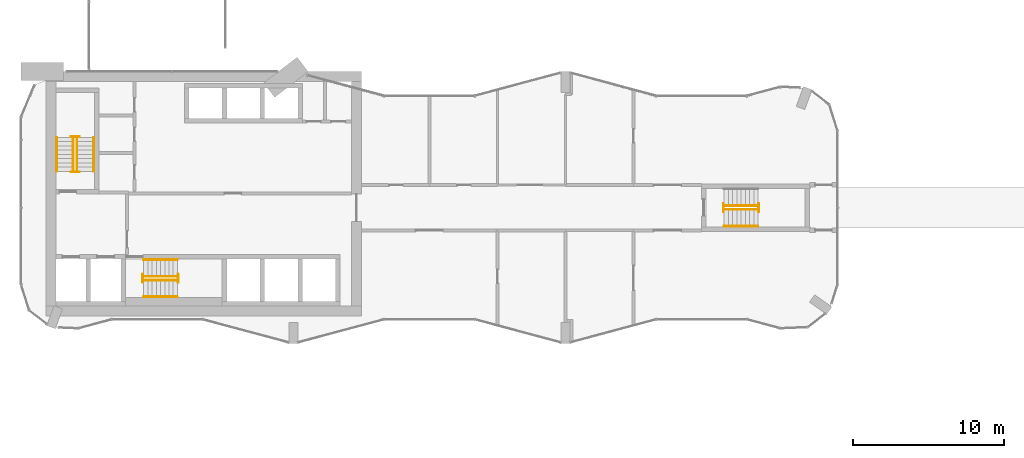
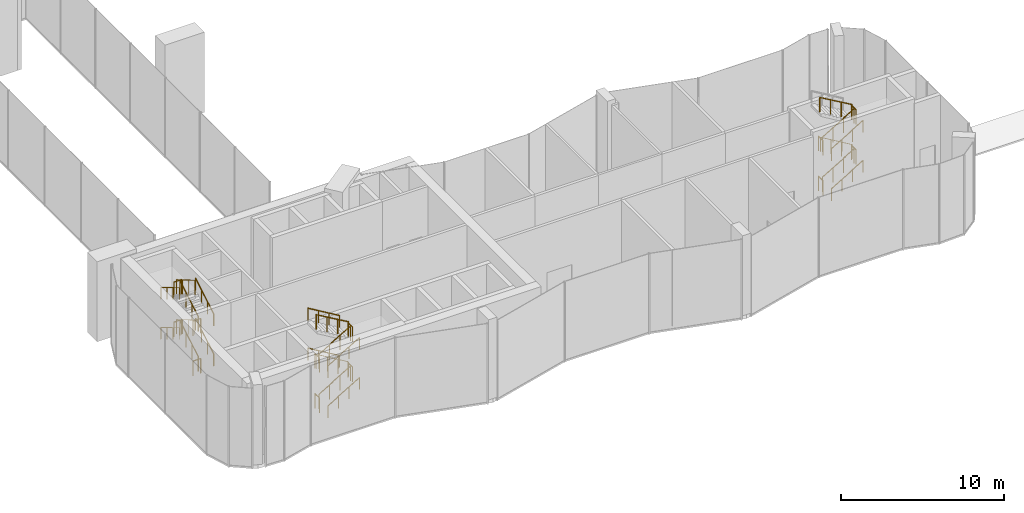
# One storey, part 15 of 19: 34 railings.
"""IFC4 building model written with IfcOpenShell, lengths in metres."""

from ifc_helpers import new_model, si_unit, direction, frame, origin, origin_2d, place, context, subcontext, project, spatial, circle, extrude, material, type_object, element, save


model = new_model("IFC4")

# Units and contexts
model_context = context("Model", 3, precision=1e-05, world=origin(), true_north=direction((0.0, 1.0)))
body_context = subcontext(model_context, "Body", "Model", "MODEL_VIEW")
ifc_project = project(units=[si_unit("LENGTHUNIT", "METRE"), si_unit("AREAUNIT", "SQUARE_METRE"), si_unit("VOLUMEUNIT", "CUBIC_METRE"), si_unit("PLANEANGLEUNIT", "RADIAN"), si_unit("MASSUNIT", "GRAM", prefix="KILO")], contexts=[model_context])

# Site, building, storey
site_placement = place(None, origin())
site = spatial("IfcSite", under=ifc_project, at=site_placement, CompositionType="ELEMENT")
building_placement = place(site_placement, origin())
building = spatial("IfcBuilding", under=site, at=building_placement, Name="Plateau Cross Towers", CompositionType="ELEMENT")
storey_placement = place(building_placement, frame((0.0, 0.0, 128.60009765625)))
storey = spatial("IfcBuildingStorey", under=building, at=storey_placement, Name="L33", CompositionType="ELEMENT", Elevation=128.60009765625)

# Railings
ifc_material_1 = material(Name="Stainless steel and toughened glass", Category="steel")
railing_type_1 = type_object("IfcRailingType", Name="RL-GUARD-1100", PredefinedType="GUARDRAIL", material=ifc_material_1)
railing_1_placement = place(storey_placement, frame((3.699951171875, 11.39990234375, 0.16650390625)))
element("IfcRailing", 1, at=railing_1_placement, inside=storey, type_object=railing_type_1, Name="L33 ST-1 stair guard 1", PredefinedType="GUARDRAIL", context=body_context, shape_type="SweptSolid", body=[
    extrude(circle(Radius=0.02392578125, at=origin_2d()), frame((0.0, 0.0, 1.076171875), z_axis=(0.0, 0.859264461869, 0.511531606619), x_axis=(-1.0, 0.0, 0.0)), (0.0, 0.0, 1.0), 2.60693359375),
    extrude(circle(Radius=0.02099609375, at=origin_2d()), origin(), (0.0, 0.0, 1.0), 1.052001953125),
    extrude(circle(Radius=0.02099609375, at=origin_2d()), frame((0.0, 0.74658203125, 0.444580078125)), (0.0, 0.0, 1.0), 1.052001953125),
    extrude(circle(Radius=0.02099609375, at=origin_2d()), frame((0.0, 1.493408203125, 0.888916015625)), (0.0, 0.0, 1.0), 1.052001953125),
    extrude(circle(Radius=0.02099609375, at=origin_2d()), frame((0.0, 2.239990234375, 1.33349609375)), (0.0, 0.0, 1.0), 1.052001953125),
])
railing_2_placement = place(storey_placement, frame((3.85009765625, 13.68994140625, 1.5)))
element("IfcRailing", 2, at=railing_2_placement, inside=storey, type_object=railing_type_1, Name="L33 ST-1 stair guard 2", PredefinedType="GUARDRAIL", context=body_context, shape_type="SweptSolid", body=[
    extrude(circle(Radius=0.02392578125, at=origin_2d()), frame((0.0, 0.0, 1.076171875), z_axis=(-1.0, 0.0, 0.0), x_axis=(0.0, -1.0, 0.0)), (0.0, 0.0, 1.0), 0.550048828125),
    extrude(circle(Radius=0.02099609375, at=origin_2d()), origin(), (0.0, 0.0, 1.0), 1.052001953125),
    extrude(circle(Radius=0.02099609375, at=origin_2d()), frame((-0.550048828125, 0.0, 0.0)), (0.0, 0.0, 1.0), 1.052001953125),
])
railing_3_placement = place(storey_placement, frame((3.449951171875, 13.639892578125, 1.66650390625)))
element("IfcRailing", 3, at=railing_3_placement, inside=storey, type_object=railing_type_1, Name="L33 ST-1 stair guard 3", PredefinedType="GUARDRAIL", context=body_context, shape_type="SweptSolid", body=[
    extrude(circle(Radius=0.02392578125, at=origin_2d()), frame((0.0, 0.0, 1.076171875), z_axis=(0.0, -0.859264461869, 0.511531606619), x_axis=(1.0, 0.0, 0.0)), (0.0, 0.0, 1.0), 2.60693359375),
    extrude(circle(Radius=0.02099609375, at=origin_2d()), origin(), (0.0, 0.0, 1.0), 1.052001953125),
    extrude(circle(Radius=0.02099609375, at=origin_2d()), frame((0.0, -0.74658203125, 0.444580078125)), (0.0, 0.0, 1.0), 1.052001953125),
    extrude(circle(Radius=0.02099609375, at=origin_2d()), frame((0.0, -1.493408203125, 0.888916015625)), (0.0, 0.0, 1.0), 1.052001953125),
    extrude(circle(Radius=0.02099609375, at=origin_2d()), frame((0.0, -2.239990234375, 1.33349609375)), (0.0, 0.0, 1.0), 1.052001953125),
])
railing_4_placement = place(storey_placement, frame((3.85009765625, 11.35009765625, 3.0)))
element("IfcRailing", 4, at=railing_4_placement, inside=storey, type_object=railing_type_1, Name="L33 ST-1 stair guard 4", PredefinedType="GUARDRAIL", context=body_context, shape_type="SweptSolid", body=[
    extrude(circle(Radius=0.02392578125, at=origin_2d()), frame((0.0, 0.0, 1.076171875), z_axis=(-1.0, 0.0, 0.0), x_axis=(0.0, -1.0, 0.0)), (0.0, 0.0, 1.0), 0.550048828125),
    extrude(circle(Radius=0.02099609375, at=origin_2d()), origin(), (0.0, 0.0, 1.0), 1.052001953125),
    extrude(circle(Radius=0.02099609375, at=origin_2d()), frame((-0.550048828125, 0.0, 0.0)), (0.0, 0.0, 1.0), 1.052001953125),
])
railing_5_placement = place(storey_placement, frame((3.699951171875, 11.39990234375, 3.16650390625)))
element("IfcRailing", 5, at=railing_5_placement, inside=storey, type_object=railing_type_1, Name="L33 ST-1 stair guard 5", PredefinedType="GUARDRAIL", context=body_context, shape_type="SweptSolid", body=[
    extrude(circle(Radius=0.02392578125, at=origin_2d()), frame((0.0, 0.0, 1.076171875), z_axis=(0.0, 0.859264461869, 0.511531606619), x_axis=(-1.0, 0.0, 0.0)), (0.0, 0.0, 1.0), 2.60693359375),
    extrude(circle(Radius=0.02099609375, at=origin_2d()), origin(), (0.0, 0.0, 1.0), 1.052001953125),
    extrude(circle(Radius=0.02099609375, at=origin_2d()), frame((0.0, 0.74658203125, 0.444580078125)), (0.0, 0.0, 1.0), 1.052001953125),
    extrude(circle(Radius=0.02099609375, at=origin_2d()), frame((0.0, 1.493408203125, 0.888916015625)), (0.0, 0.0, 1.0), 1.052001953125),
    extrude(circle(Radius=0.02099609375, at=origin_2d()), frame((0.0, 2.239990234375, 1.33349609375)), (0.0, 0.0, 1.0), 1.052001953125),
])
railing_6_placement = place(storey_placement, frame((3.85009765625, 13.68994140625, 4.5)))
element("IfcRailing", 6, at=railing_6_placement, inside=storey, type_object=railing_type_1, Name="L33 ST-1 stair guard 6", PredefinedType="GUARDRAIL", context=body_context, shape_type="SweptSolid", body=[
    extrude(circle(Radius=0.02392578125, at=origin_2d()), frame((0.0, 0.0, 1.076171875), z_axis=(-1.0, 0.0, 0.0), x_axis=(0.0, -1.0, 0.0)), (0.0, 0.0, 1.0), 0.550048828125),
    extrude(circle(Radius=0.02099609375, at=origin_2d()), origin(), (0.0, 0.0, 1.0), 1.052001953125),
    extrude(circle(Radius=0.02099609375, at=origin_2d()), frame((-0.550048828125, 0.0, 0.0)), (0.0, 0.0, 1.0), 1.052001953125),
])
railing_7_placement = place(storey_placement, frame((3.449951171875, 13.639892578125, 4.66650390625)))
element("IfcRailing", 7, at=railing_7_placement, inside=storey, type_object=railing_type_1, Name="L33 ST-1 stair guard 7", PredefinedType="GUARDRAIL", context=body_context, shape_type="SweptSolid", body=[
    extrude(circle(Radius=0.02392578125, at=origin_2d()), frame((0.0, 0.0, 1.076171875), z_axis=(0.0, -0.864142922442, 0.503246470026), x_axis=(1.0, 0.0, 0.0)), (0.0, 0.0, 1.0), 2.64990234375),
    extrude(circle(Radius=0.02099609375, at=origin_2d()), origin(), (0.0, 0.0, 1.0), 1.052001953125),
    extrude(circle(Radius=0.02099609375, at=origin_2d()), frame((0.0, -0.76318359375, 0.444580078125)), (0.0, 0.0, 1.0), 1.052001953125),
    extrude(circle(Radius=0.02099609375, at=origin_2d()), frame((0.0, -1.526611328125, 0.888916015625)), (0.0, 0.0, 1.0), 1.052001953125),
    extrude(circle(Radius=0.02099609375, at=origin_2d()), frame((0.0, -2.289794921875, 1.33349609375)), (0.0, 0.0, 1.0), 1.052001953125),
])
railing_8_placement = place(storey_placement, frame((3.85009765625, 11.35009765625, 0.0)))
element("IfcRailing", 8, at=railing_8_placement, inside=storey, type_object=railing_type_1, Name="L33 ST-1 stair guard 8", PredefinedType="GUARDRAIL", context=body_context, shape_type="SweptSolid", body=[
    extrude(circle(Radius=0.02392578125, at=origin_2d()), frame((0.0, 0.0, 1.076171875), z_axis=(-1.0, 0.0, 0.0), x_axis=(0.0, -1.0, 0.0)), (0.0, 0.0, 1.0), 0.550048828125),
    extrude(circle(Radius=0.02099609375, at=origin_2d()), origin(), (0.0, 0.0, 1.0), 1.052001953125),
    extrude(circle(Radius=0.02099609375, at=origin_2d()), frame((-0.550048828125, 0.0, 0.0)), (0.0, 0.0, 1.0), 1.052001953125),
])
railing_9_placement = place(storey_placement, frame((8.10009765625, 4.199951171875, 0.16650390625)))
element("IfcRailing", 9, at=railing_9_placement, inside=storey, type_object=railing_type_1, Name="L33 ST-2 stair guard 1", PredefinedType="GUARDRAIL", context=body_context, shape_type="SweptSolid", body=[
    extrude(circle(Radius=0.02392578125, at=origin_2d()), frame((0.0, 0.0, 1.076171875), z_axis=(0.859264461869, 0.0, 0.511531606619), x_axis=(0.0, 1.0, 0.0)), (0.0, 0.0, 1.0), 2.60693359375),
    extrude(circle(Radius=0.02099609375, at=origin_2d()), origin(), (0.0, 0.0, 1.0), 1.052001953125),
    extrude(circle(Radius=0.02099609375, at=origin_2d()), frame((0.74658203125, 0.0, 0.444580078125)), (0.0, 0.0, 1.0), 1.052001953125),
    extrude(circle(Radius=0.02099609375, at=origin_2d()), frame((1.493408203125, 0.0, 0.888916015625)), (0.0, 0.0, 1.0), 1.052001953125),
    extrude(circle(Radius=0.02099609375, at=origin_2d()), frame((2.239990234375, 0.0, 1.33349609375)), (0.0, 0.0, 1.0), 1.052001953125),
])
railing_10_placement = place(storey_placement, frame((10.389892578125, 4.050048828125, 1.5)))
element("IfcRailing", 10, at=railing_10_placement, inside=storey, type_object=railing_type_1, Name="L33 ST-2 stair guard 2", PredefinedType="GUARDRAIL", context=body_context, shape_type="SweptSolid", body=[
    extrude(circle(Radius=0.02392578125, at=origin_2d()), frame((0.0, 0.0, 1.076171875), z_axis=(0.0, 1.0, 0.0), x_axis=(-1.0, 0.0, 0.0)), (0.0, 0.0, 1.0), 0.550048828125),
    extrude(circle(Radius=0.02099609375, at=origin_2d()), origin(), (0.0, 0.0, 1.0), 1.052001953125),
    extrude(circle(Radius=0.02099609375, at=origin_2d()), frame((0.0, 0.550048828125, 0.0)), (0.0, 0.0, 1.0), 1.052001953125),
])
railing_11_placement = place(storey_placement, frame((10.340087890625, 4.449951171875, 1.66650390625)))
element("IfcRailing", 11, at=railing_11_placement, inside=storey, type_object=railing_type_1, Name="L33 ST-2 stair guard 3", PredefinedType="GUARDRAIL", context=body_context, shape_type="SweptSolid", body=[
    extrude(circle(Radius=0.02392578125, at=origin_2d()), frame((0.0, 0.0, 1.076171875), z_axis=(-0.859264461869, 0.0, 0.511531606619), x_axis=(0.0, -1.0, 0.0)), (0.0, 0.0, 1.0), 2.60693359375),
    extrude(circle(Radius=0.02099609375, at=origin_2d()), origin(), (0.0, 0.0, 1.0), 1.052001953125),
    extrude(circle(Radius=0.02099609375, at=origin_2d()), frame((-0.74658203125, 0.0, 0.444580078125)), (0.0, 0.0, 1.0), 1.052001953125),
    extrude(circle(Radius=0.02099609375, at=origin_2d()), frame((-1.493408203125, 0.0, 0.888916015625)), (0.0, 0.0, 1.0), 1.052001953125),
    extrude(circle(Radius=0.02099609375, at=origin_2d()), frame((-2.239990234375, 0.0, 1.33349609375)), (0.0, 0.0, 1.0), 1.052001953125),
])
railing_12_placement = place(storey_placement, frame((8.050048828125, 4.050048828125, 3.0)))
element("IfcRailing", 12, at=railing_12_placement, inside=storey, type_object=railing_type_1, Name="L33 ST-2 stair guard 4", PredefinedType="GUARDRAIL", context=body_context, shape_type="SweptSolid", body=[
    extrude(circle(Radius=0.02392578125, at=origin_2d()), frame((0.0, 0.0, 1.076171875), z_axis=(0.0, 1.0, 0.0), x_axis=(-1.0, 0.0, 0.0)), (0.0, 0.0, 1.0), 0.550048828125),
    extrude(circle(Radius=0.02099609375, at=origin_2d()), origin(), (0.0, 0.0, 1.0), 1.052001953125),
    extrude(circle(Radius=0.02099609375, at=origin_2d()), frame((0.0, 0.550048828125, 0.0)), (0.0, 0.0, 1.0), 1.052001953125),
])
railing_13_placement = place(storey_placement, frame((8.10009765625, 4.199951171875, 3.16650390625)))
element("IfcRailing", 13, at=railing_13_placement, inside=storey, type_object=railing_type_1, Name="L33 ST-2 stair guard 5", PredefinedType="GUARDRAIL", context=body_context, shape_type="SweptSolid", body=[
    extrude(circle(Radius=0.02392578125, at=origin_2d()), frame((0.0, 0.0, 1.076171875), z_axis=(0.859264461869, 0.0, 0.511531606619), x_axis=(0.0, 1.0, 0.0)), (0.0, 0.0, 1.0), 2.60693359375),
    extrude(circle(Radius=0.02099609375, at=origin_2d()), origin(), (0.0, 0.0, 1.0), 1.052001953125),
    extrude(circle(Radius=0.02099609375, at=origin_2d()), frame((0.74658203125, 0.0, 0.444580078125)), (0.0, 0.0, 1.0), 1.052001953125),
    extrude(circle(Radius=0.02099609375, at=origin_2d()), frame((1.493408203125, 0.0, 0.888916015625)), (0.0, 0.0, 1.0), 1.052001953125),
    extrude(circle(Radius=0.02099609375, at=origin_2d()), frame((2.239990234375, 0.0, 1.33349609375)), (0.0, 0.0, 1.0), 1.052001953125),
])
railing_14_placement = place(storey_placement, frame((10.389892578125, 4.050048828125, 4.5)))
element("IfcRailing", 14, at=railing_14_placement, inside=storey, type_object=railing_type_1, Name="L33 ST-2 stair guard 6", PredefinedType="GUARDRAIL", context=body_context, shape_type="SweptSolid", body=[
    extrude(circle(Radius=0.02392578125, at=origin_2d()), frame((0.0, 0.0, 1.076171875), z_axis=(0.0, 1.0, 0.0), x_axis=(-1.0, 0.0, 0.0)), (0.0, 0.0, 1.0), 0.550048828125),
    extrude(circle(Radius=0.02099609375, at=origin_2d()), origin(), (0.0, 0.0, 1.0), 1.052001953125),
    extrude(circle(Radius=0.02099609375, at=origin_2d()), frame((0.0, 0.550048828125, 0.0)), (0.0, 0.0, 1.0), 1.052001953125),
])
railing_15_placement = place(storey_placement, frame((10.340087890625, 4.449951171875, 4.66650390625)))
element("IfcRailing", 15, at=railing_15_placement, inside=storey, type_object=railing_type_1, Name="L33 ST-2 stair guard 7", PredefinedType="GUARDRAIL", context=body_context, shape_type="SweptSolid", body=[
    extrude(circle(Radius=0.02392578125, at=origin_2d()), frame((0.0, 0.0, 1.076171875), z_axis=(-0.864166253726, 0.0, 0.503206404888), x_axis=(0.0, -1.0, 0.0)), (0.0, 0.0, 1.0), 2.64990234375),
    extrude(circle(Radius=0.02099609375, at=origin_2d()), origin(), (0.0, 0.0, 1.0), 1.052001953125),
    extrude(circle(Radius=0.02099609375, at=origin_2d()), frame((-0.763427734375, 0.0, 0.444580078125)), (0.0, 0.0, 1.0), 1.052001953125),
    extrude(circle(Radius=0.02099609375, at=origin_2d()), frame((-1.526611328125, 0.0, 0.888916015625)), (0.0, 0.0, 1.0), 1.052001953125),
    extrude(circle(Radius=0.02099609375, at=origin_2d()), frame((-2.2900390625, 0.0, 1.33349609375)), (0.0, 0.0, 1.0), 1.052001953125),
])
railing_16_placement = place(storey_placement, frame((8.050048828125, 4.050048828125, 0.0)))
element("IfcRailing", 16, at=railing_16_placement, inside=storey, type_object=railing_type_1, Name="L33 ST-2 stair guard 8", PredefinedType="GUARDRAIL", context=body_context, shape_type="SweptSolid", body=[
    extrude(circle(Radius=0.02392578125, at=origin_2d()), frame((0.0, 0.0, 1.076171875), z_axis=(0.0, 1.0, 0.0), x_axis=(-1.0, 0.0, 0.0)), (0.0, 0.0, 1.0), 0.550048828125),
    extrude(circle(Radius=0.02099609375, at=origin_2d()), origin(), (0.0, 0.0, 1.0), 1.052001953125),
    extrude(circle(Radius=0.02099609375, at=origin_2d()), frame((0.0, 0.550048828125, 0.0)), (0.0, 0.0, 1.0), 1.052001953125),
])
railing_17_placement = place(storey_placement, frame((46.5, 8.875, 0.16650390625)))
element("IfcRailing", 17, at=railing_17_placement, inside=storey, type_object=railing_type_1, Name="L33 ES-E stair guard 1", PredefinedType="GUARDRAIL", context=body_context, shape_type="SweptSolid", body=[
    extrude(circle(Radius=0.02392578125, at=origin_2d()), frame((0.0, 0.0, 1.076171875), z_axis=(0.859264461869, 0.0, 0.511531606619), x_axis=(0.0, 1.0, 0.0)), (0.0, 0.0, 1.0), 2.60693359375),
    extrude(circle(Radius=0.02099609375, at=origin_2d()), origin(), (0.0, 0.0, 1.0), 1.052001953125),
    extrude(circle(Radius=0.02099609375, at=origin_2d()), frame((0.74658203125, 0.0, 0.444580078125)), (0.0, 0.0, 1.0), 1.052001953125),
    extrude(circle(Radius=0.02099609375, at=origin_2d()), frame((1.493408203125, 0.0, 0.888916015625)), (0.0, 0.0, 1.0), 1.052001953125),
    extrude(circle(Radius=0.02099609375, at=origin_2d()), frame((2.239990234375, 0.0, 1.33349609375)), (0.0, 0.0, 1.0), 1.052001953125),
])
railing_18_placement = place(storey_placement, frame((48.7900390625, 8.72509765625, 1.5)))
element("IfcRailing", 18, at=railing_18_placement, inside=storey, type_object=railing_type_1, Name="L33 ES-E stair guard 2", PredefinedType="GUARDRAIL", context=body_context, shape_type="SweptSolid", body=[
    extrude(circle(Radius=0.02392578125, at=origin_2d()), frame((0.0, 0.0, 1.076171875), z_axis=(0.0, 1.0, 0.0), x_axis=(-1.0, 0.0, 0.0)), (0.0, 0.0, 1.0), 0.5498046875),
    extrude(circle(Radius=0.02099609375, at=origin_2d()), origin(), (0.0, 0.0, 1.0), 1.052001953125),
    extrude(circle(Radius=0.02099609375, at=origin_2d()), frame((0.0, 0.5498046875, 0.0)), (0.0, 0.0, 1.0), 1.052001953125),
])
railing_19_placement = place(storey_placement, frame((48.739990234375, 9.125, 1.66650390625)))
element("IfcRailing", 19, at=railing_19_placement, inside=storey, type_object=railing_type_1, Name="L33 ES-E stair guard 3", PredefinedType="GUARDRAIL", context=body_context, shape_type="SweptSolid", body=[
    extrude(circle(Radius=0.02392578125, at=origin_2d()), frame((0.0, 0.0, 1.076171875), z_axis=(-0.859264461869, 0.0, 0.511531606619), x_axis=(0.0, -1.0, 0.0)), (0.0, 0.0, 1.0), 2.60693359375),
    extrude(circle(Radius=0.02099609375, at=origin_2d()), origin(), (0.0, 0.0, 1.0), 1.052001953125),
    extrude(circle(Radius=0.02099609375, at=origin_2d()), frame((-0.74658203125, 0.0, 0.444580078125)), (0.0, 0.0, 1.0), 1.052001953125),
    extrude(circle(Radius=0.02099609375, at=origin_2d()), frame((-1.493408203125, 0.0, 0.888916015625)), (0.0, 0.0, 1.0), 1.052001953125),
    extrude(circle(Radius=0.02099609375, at=origin_2d()), frame((-2.239990234375, 0.0, 1.33349609375)), (0.0, 0.0, 1.0), 1.052001953125),
])
railing_20_placement = place(storey_placement, frame((46.449951171875, 8.72509765625, 3.0)))
element("IfcRailing", 20, at=railing_20_placement, inside=storey, type_object=railing_type_1, Name="L33 ES-E stair guard 4", PredefinedType="GUARDRAIL", context=body_context, shape_type="SweptSolid", body=[
    extrude(circle(Radius=0.02392578125, at=origin_2d()), frame((0.0, 0.0, 1.076171875), z_axis=(0.0, 1.0, 0.0), x_axis=(-1.0, 0.0, 0.0)), (0.0, 0.0, 1.0), 0.5498046875),
    extrude(circle(Radius=0.02099609375, at=origin_2d()), origin(), (0.0, 0.0, 1.0), 1.052001953125),
    extrude(circle(Radius=0.02099609375, at=origin_2d()), frame((0.0, 0.5498046875, 0.0)), (0.0, 0.0, 1.0), 1.052001953125),
])
railing_21_placement = place(storey_placement, frame((46.5, 8.875, 3.16650390625)))
element("IfcRailing", 21, at=railing_21_placement, inside=storey, type_object=railing_type_1, Name="L33 ES-E stair guard 5", PredefinedType="GUARDRAIL", context=body_context, shape_type="SweptSolid", body=[
    extrude(circle(Radius=0.02392578125, at=origin_2d()), frame((0.0, 0.0, 1.076171875), z_axis=(0.859264461869, 0.0, 0.511531606619), x_axis=(0.0, 1.0, 0.0)), (0.0, 0.0, 1.0), 2.60693359375),
    extrude(circle(Radius=0.02099609375, at=origin_2d()), origin(), (0.0, 0.0, 1.0), 1.052001953125),
    extrude(circle(Radius=0.02099609375, at=origin_2d()), frame((0.74658203125, 0.0, 0.444580078125)), (0.0, 0.0, 1.0), 1.052001953125),
    extrude(circle(Radius=0.02099609375, at=origin_2d()), frame((1.493408203125, 0.0, 0.888916015625)), (0.0, 0.0, 1.0), 1.052001953125),
    extrude(circle(Radius=0.02099609375, at=origin_2d()), frame((2.239990234375, 0.0, 1.33349609375)), (0.0, 0.0, 1.0), 1.052001953125),
])
railing_22_placement = place(storey_placement, frame((48.7900390625, 8.72509765625, 4.5)))
element("IfcRailing", 22, at=railing_22_placement, inside=storey, type_object=railing_type_1, Name="L33 ES-E stair guard 6", PredefinedType="GUARDRAIL", context=body_context, shape_type="SweptSolid", body=[
    extrude(circle(Radius=0.02392578125, at=origin_2d()), frame((0.0, 0.0, 1.076171875), z_axis=(0.0, 1.0, 0.0), x_axis=(-1.0, 0.0, 0.0)), (0.0, 0.0, 1.0), 0.5498046875),
    extrude(circle(Radius=0.02099609375, at=origin_2d()), origin(), (0.0, 0.0, 1.0), 1.052001953125),
    extrude(circle(Radius=0.02099609375, at=origin_2d()), frame((0.0, 0.5498046875, 0.0)), (0.0, 0.0, 1.0), 1.052001953125),
])
railing_23_placement = place(storey_placement, frame((48.739990234375, 9.125, 4.66650390625)))
element("IfcRailing", 23, at=railing_23_placement, inside=storey, type_object=railing_type_1, Name="L33 ES-E stair guard 7", PredefinedType="GUARDRAIL", context=body_context, shape_type="SweptSolid", body=[
    extrude(circle(Radius=0.02392578125, at=origin_2d()), frame((0.0, 0.0, 1.076171875), z_axis=(-0.864166253726, 0.0, 0.503206404888), x_axis=(0.0, -1.0, 0.0)), (0.0, 0.0, 1.0), 2.64990234375),
    extrude(circle(Radius=0.02099609375, at=origin_2d()), origin(), (0.0, 0.0, 1.0), 1.052001953125),
    extrude(circle(Radius=0.02099609375, at=origin_2d()), frame((-0.763427734375, 0.0, 0.444580078125)), (0.0, 0.0, 1.0), 1.052001953125),
    extrude(circle(Radius=0.02099609375, at=origin_2d()), frame((-1.526611328125, 0.0, 0.888916015625)), (0.0, 0.0, 1.0), 1.052001953125),
    extrude(circle(Radius=0.02099609375, at=origin_2d()), frame((-2.2900390625, 0.0, 1.33349609375)), (0.0, 0.0, 1.0), 1.052001953125),
])
railing_24_placement = place(storey_placement, frame((46.449951171875, 8.72509765625, 0.0)))
element("IfcRailing", 24, at=railing_24_placement, inside=storey, type_object=railing_type_1, Name="L33 ES-E stair guard 8", PredefinedType="GUARDRAIL", context=body_context, shape_type="SweptSolid", body=[
    extrude(circle(Radius=0.02392578125, at=origin_2d()), frame((0.0, 0.0, 1.076171875), z_axis=(0.0, 1.0, 0.0), x_axis=(-1.0, 0.0, 0.0)), (0.0, 0.0, 1.0), 0.5498046875),
    extrude(circle(Radius=0.02099609375, at=origin_2d()), origin(), (0.0, 0.0, 1.0), 1.052001953125),
    extrude(circle(Radius=0.02099609375, at=origin_2d()), frame((0.0, 0.5498046875, 0.0)), (0.0, 0.0, 1.0), 1.052001953125),
])
ifc_material_2 = material(Name="Black anodised aluminium", Category="aluminium")
railing_type_2 = type_object("IfcRailingType", Name="RL-HANDRAIL-900", PredefinedType="HANDRAIL", material=ifc_material_2)
railing_25_placement = place(storey_placement, frame((4.800048828125, 11.39990234375, 0.16650390625)))
element("IfcRailing", 25, at=railing_25_placement, inside=storey, type_object=railing_type_2, Name="L33 ST-1 stair handrail 1", PredefinedType="HANDRAIL", context=body_context, shape_type="SweptSolid", body=[
    extrude(circle(Radius=0.02392578125, at=origin_2d()), frame((0.0, 0.0, 0.8759765625), z_axis=(0.0, 0.859264461869, 0.511531606619), x_axis=(-1.0, 0.0, 0.0)), (0.0, 0.0, 1.0), 2.60693359375),
    extrude(circle(Radius=0.02099609375, at=origin_2d()), origin(), (0.0, 0.0, 1.0), 0.851806640625),
    extrude(circle(Radius=0.02099609375, at=origin_2d()), frame((0.0, 0.74658203125, 0.444580078125)), (0.0, 0.0, 1.0), 0.851806640625),
    extrude(circle(Radius=0.02099609375, at=origin_2d()), frame((0.0, 1.493408203125, 0.888916015625)), (0.0, 0.0, 1.0), 0.851806640625),
    extrude(circle(Radius=0.02099609375, at=origin_2d()), frame((0.0, 2.239990234375, 1.33349609375)), (0.0, 0.0, 1.0), 0.851806640625),
])
railing_26_placement = place(storey_placement, frame((2.35009765625, 13.639892578125, 1.66650390625)))
element("IfcRailing", 26, at=railing_26_placement, inside=storey, type_object=railing_type_2, Name="L33 ST-1 stair handrail 2", PredefinedType="HANDRAIL", context=body_context, shape_type="SweptSolid", body=[
    extrude(circle(Radius=0.02392578125, at=origin_2d()), frame((0.0, 0.0, 0.8759765625), z_axis=(0.0, -0.859264461869, 0.511531606619), x_axis=(1.0, 0.0, 0.0)), (0.0, 0.0, 1.0), 2.60693359375),
    extrude(circle(Radius=0.02099609375, at=origin_2d()), origin(), (0.0, 0.0, 1.0), 0.851806640625),
    extrude(circle(Radius=0.02099609375, at=origin_2d()), frame((0.0, -0.74658203125, 0.444580078125)), (0.0, 0.0, 1.0), 0.851806640625),
    extrude(circle(Radius=0.02099609375, at=origin_2d()), frame((0.0, -1.493408203125, 0.888916015625)), (0.0, 0.0, 1.0), 0.851806640625),
    extrude(circle(Radius=0.02099609375, at=origin_2d()), frame((0.0, -2.239990234375, 1.33349609375)), (0.0, 0.0, 1.0), 0.851806640625),
])
railing_27_placement = place(storey_placement, frame((4.800048828125, 11.39990234375, 3.16650390625)))
element("IfcRailing", 27, at=railing_27_placement, inside=storey, type_object=railing_type_2, Name="L33 ST-1 stair handrail 3", PredefinedType="HANDRAIL", context=body_context, shape_type="SweptSolid", body=[
    extrude(circle(Radius=0.02392578125, at=origin_2d()), frame((0.0, 0.0, 0.8759765625), z_axis=(0.0, 0.859264461869, 0.511531606619), x_axis=(-1.0, 0.0, 0.0)), (0.0, 0.0, 1.0), 2.60693359375),
    extrude(circle(Radius=0.02099609375, at=origin_2d()), origin(), (0.0, 0.0, 1.0), 0.851806640625),
    extrude(circle(Radius=0.02099609375, at=origin_2d()), frame((0.0, 0.74658203125, 0.444580078125)), (0.0, 0.0, 1.0), 0.851806640625),
    extrude(circle(Radius=0.02099609375, at=origin_2d()), frame((0.0, 1.493408203125, 0.888916015625)), (0.0, 0.0, 1.0), 0.851806640625),
    extrude(circle(Radius=0.02099609375, at=origin_2d()), frame((0.0, 2.239990234375, 1.33349609375)), (0.0, 0.0, 1.0), 0.851806640625),
])
railing_28_placement = place(storey_placement, frame((2.35009765625, 13.639892578125, 4.66650390625)))
element("IfcRailing", 28, at=railing_28_placement, inside=storey, type_object=railing_type_2, Name="L33 ST-1 stair handrail 4", PredefinedType="HANDRAIL", context=body_context, shape_type="SweptSolid", body=[
    extrude(circle(Radius=0.02392578125, at=origin_2d()), frame((0.0, 0.0, 0.8759765625), z_axis=(0.0, -0.859264461869, 0.511531606619), x_axis=(1.0, 0.0, 0.0)), (0.0, 0.0, 1.0), 2.60693359375),
    extrude(circle(Radius=0.02099609375, at=origin_2d()), origin(), (0.0, 0.0, 1.0), 0.851806640625),
    extrude(circle(Radius=0.02099609375, at=origin_2d()), frame((0.0, -0.74658203125, 0.444580078125)), (0.0, 0.0, 1.0), 0.851806640625),
    extrude(circle(Radius=0.02099609375, at=origin_2d()), frame((0.0, -1.493408203125, 0.888916015625)), (0.0, 0.0, 1.0), 0.851806640625),
    extrude(circle(Radius=0.02099609375, at=origin_2d()), frame((0.0, -2.239990234375, 1.33349609375)), (0.0, 0.0, 1.0), 0.851806640625),
])
railing_29_placement = place(storey_placement, frame((8.10009765625, 3.10009765625, 0.16650390625)))
element("IfcRailing", 29, at=railing_29_placement, inside=storey, type_object=railing_type_2, Name="L33 ST-2 stair handrail 1", PredefinedType="HANDRAIL", context=body_context, shape_type="SweptSolid", body=[
    extrude(circle(Radius=0.02392578125, at=origin_2d()), frame((0.0, 0.0, 0.8759765625), z_axis=(0.859264461869, 0.0, 0.511531606619), x_axis=(0.0, 1.0, 0.0)), (0.0, 0.0, 1.0), 2.60693359375),
    extrude(circle(Radius=0.02099609375, at=origin_2d()), origin(), (0.0, 0.0, 1.0), 0.851806640625),
    extrude(circle(Radius=0.02099609375, at=origin_2d()), frame((0.74658203125, 0.0, 0.444580078125)), (0.0, 0.0, 1.0), 0.851806640625),
    extrude(circle(Radius=0.02099609375, at=origin_2d()), frame((1.493408203125, 0.0, 0.888916015625)), (0.0, 0.0, 1.0), 0.851806640625),
    extrude(circle(Radius=0.02099609375, at=origin_2d()), frame((2.239990234375, 0.0, 1.33349609375)), (0.0, 0.0, 1.0), 0.851806640625),
])
railing_30_placement = place(storey_placement, frame((10.340087890625, 5.550048828125, 1.66650390625)))
element("IfcRailing", 30, at=railing_30_placement, inside=storey, type_object=railing_type_2, Name="L33 ST-2 stair handrail 2", PredefinedType="HANDRAIL", context=body_context, shape_type="SweptSolid", body=[
    extrude(circle(Radius=0.02392578125, at=origin_2d()), frame((0.0, 0.0, 0.8759765625), z_axis=(-0.859264461869, 0.0, 0.511531606619), x_axis=(0.0, -1.0, 0.0)), (0.0, 0.0, 1.0), 2.60693359375),
    extrude(circle(Radius=0.02099609375, at=origin_2d()), origin(), (0.0, 0.0, 1.0), 0.851806640625),
    extrude(circle(Radius=0.02099609375, at=origin_2d()), frame((-0.74658203125, 0.0, 0.444580078125)), (0.0, 0.0, 1.0), 0.851806640625),
    extrude(circle(Radius=0.02099609375, at=origin_2d()), frame((-1.493408203125, 0.0, 0.888916015625)), (0.0, 0.0, 1.0), 0.851806640625),
    extrude(circle(Radius=0.02099609375, at=origin_2d()), frame((-2.239990234375, 0.0, 1.33349609375)), (0.0, 0.0, 1.0), 0.851806640625),
])
railing_31_placement = place(storey_placement, frame((8.10009765625, 3.10009765625, 3.16650390625)))
element("IfcRailing", 31, at=railing_31_placement, inside=storey, type_object=railing_type_2, Name="L33 ST-2 stair handrail 3", PredefinedType="HANDRAIL", context=body_context, shape_type="SweptSolid", body=[
    extrude(circle(Radius=0.02392578125, at=origin_2d()), frame((0.0, 0.0, 0.8759765625), z_axis=(0.859264461869, 0.0, 0.511531606619), x_axis=(0.0, 1.0, 0.0)), (0.0, 0.0, 1.0), 2.60693359375),
    extrude(circle(Radius=0.02099609375, at=origin_2d()), origin(), (0.0, 0.0, 1.0), 0.851806640625),
    extrude(circle(Radius=0.02099609375, at=origin_2d()), frame((0.74658203125, 0.0, 0.444580078125)), (0.0, 0.0, 1.0), 0.851806640625),
    extrude(circle(Radius=0.02099609375, at=origin_2d()), frame((1.493408203125, 0.0, 0.888916015625)), (0.0, 0.0, 1.0), 0.851806640625),
    extrude(circle(Radius=0.02099609375, at=origin_2d()), frame((2.239990234375, 0.0, 1.33349609375)), (0.0, 0.0, 1.0), 0.851806640625),
])
railing_32_placement = place(storey_placement, frame((10.340087890625, 5.550048828125, 4.66650390625)))
element("IfcRailing", 32, at=railing_32_placement, inside=storey, type_object=railing_type_2, Name="L33 ST-2 stair handrail 4", PredefinedType="HANDRAIL", context=body_context, shape_type="SweptSolid", body=[
    extrude(circle(Radius=0.02392578125, at=origin_2d()), frame((0.0, 0.0, 0.8759765625), z_axis=(-0.859264461869, 0.0, 0.511531606619), x_axis=(0.0, -1.0, 0.0)), (0.0, 0.0, 1.0), 2.60693359375),
    extrude(circle(Radius=0.02099609375, at=origin_2d()), origin(), (0.0, 0.0, 1.0), 0.851806640625),
    extrude(circle(Radius=0.02099609375, at=origin_2d()), frame((-0.74658203125, 0.0, 0.444580078125)), (0.0, 0.0, 1.0), 0.851806640625),
    extrude(circle(Radius=0.02099609375, at=origin_2d()), frame((-1.493408203125, 0.0, 0.888916015625)), (0.0, 0.0, 1.0), 0.851806640625),
    extrude(circle(Radius=0.02099609375, at=origin_2d()), frame((-2.239990234375, 0.0, 1.33349609375)), (0.0, 0.0, 1.0), 0.851806640625),
])
for number, where, name in (
    (33, (46.5, 7.77490234375, 0.16650390625), "L33 ES-E stair handrail 1"),
    (34, (46.5, 7.77490234375, 3.16650390625), "L33 ES-E stair handrail 3"),
):
    element("IfcRailing", number, at=place(storey_placement, frame(where)), inside=storey, type_object=railing_type_2, Name=name, PredefinedType="HANDRAIL", context=body_context, shape_type="SweptSolid", body=[
        extrude(circle(Radius=0.02392578125, at=origin_2d()), frame((0.0, 0.0, 0.8759765625), z_axis=(0.859264461869, 0.0, 0.511531606619), x_axis=(0.0, 1.0, 0.0)), (0.0, 0.0, 1.0), 2.60693359375),
        extrude(circle(Radius=0.02099609375, at=origin_2d()), origin(), (0.0, 0.0, 1.0), 0.851806640625),
        extrude(circle(Radius=0.02099609375, at=origin_2d()), frame((0.74658203125, 0.0, 0.444580078125)), (0.0, 0.0, 1.0), 0.851806640625),
        extrude(circle(Radius=0.02099609375, at=origin_2d()), frame((1.493408203125, 0.0, 0.888916015625)), (0.0, 0.0, 1.0), 0.851806640625),
        extrude(circle(Radius=0.02099609375, at=origin_2d()), frame((2.239990234375, 0.0, 1.33349609375)), (0.0, 0.0, 1.0), 0.851806640625),
    ])

save(model, "model.ifc")
